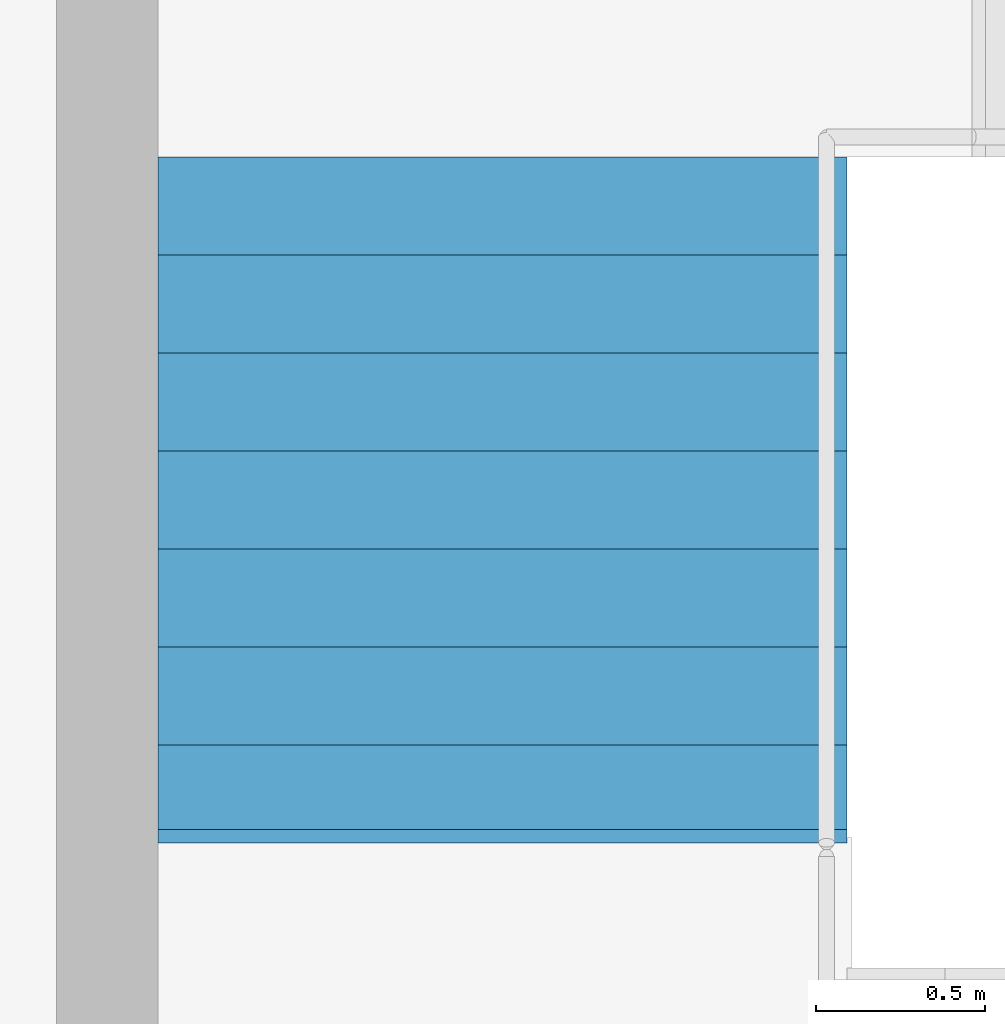
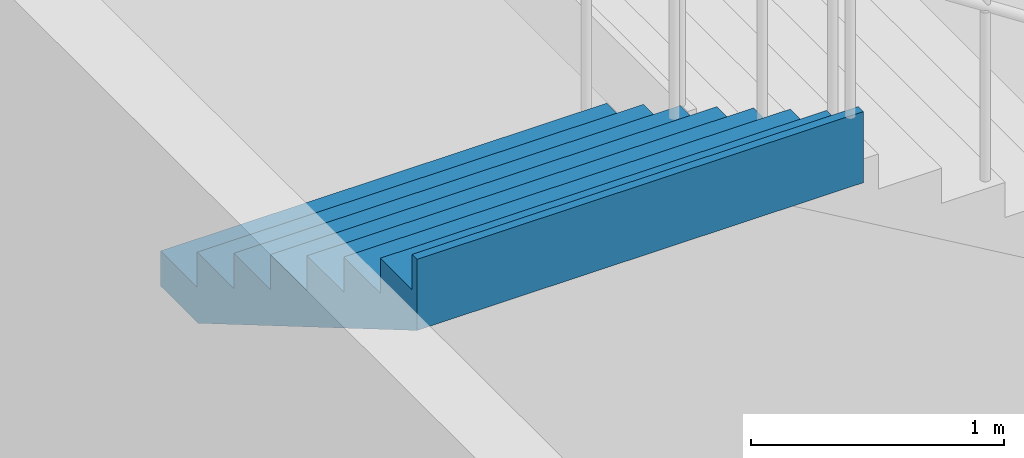
# One storey, part 61 of 74: 1 stair flight, 1 element without a shape of its own.
"""IFC4 building model written with IfcOpenShell, lengths in metres."""

from ifc_helpers import new_model, si_unit, direction, frame, origin, place, context, subcontext, project, spatial, triangles, material, type_object, element, aggregate, save


model = new_model("IFC4")

# Units and contexts
model_context = context("Model", 3, precision=1e-05, world=origin(), true_north=direction((0.0, 1.0)))
body_context = subcontext(model_context, "Body", "Model", "MODEL_VIEW")
ifc_project = project(units=[si_unit("LENGTHUNIT", "METRE"), si_unit("AREAUNIT", "SQUARE_METRE"), si_unit("VOLUMEUNIT", "CUBIC_METRE"), si_unit("PLANEANGLEUNIT", "RADIAN"), si_unit("MASSUNIT", "GRAM", prefix="KILO")], contexts=[model_context])

# Site, building, storey
site_placement = place(None, origin())
site = spatial("IfcSite", under=ifc_project, at=site_placement, CompositionType="ELEMENT")
building_placement = place(site_placement, origin())
building = spatial("IfcBuilding", under=site, at=building_placement, Name="Sillaruma Civic Art Gallery", CompositionType="ELEMENT")
storey_placement = place(building_placement, frame((0.0, 0.0, 5.43994140625)))
storey = spatial("IfcBuildingStorey", under=building, at=storey_placement, Name="L01", CompositionType="ELEMENT", Elevation=5.43994140625)

# Stair, stair flight
ifc_material = material(Name="Concrete H35 (35 MPa)", Category="concrete")
stair_type = type_object("IfcStairType", Name="STR-4F-32", PredefinedType="USERDEFINED", material=ifc_material)
stair_placement = place(storey_placement, origin())
stair = element("IfcStair", 1, at=stair_placement, inside=storey, type_object=stair_type, Name="Protected Exit Stair ST-01 (West Wing) (L01)", ObjectType="THREE_RETURN_STAIR", PredefinedType="USERDEFINED")
stair_flight_type = type_object("IfcStairFlightType", Name="SFL-STR-8", PredefinedType="STRAIGHT", material=ifc_material)
stair_flight_placement = place(storey_placement, frame((26.580078125, 105.139892578125, 4.080078125), z_axis=(0.0, 0.0, 1.0), x_axis=(0.0, -1.0, 0.0)))
stair_flight = element("IfcStairFlight", 2, at=stair_flight_placement, type_object=stair_flight_type, Name="ST-01 flight 4", NumberOfRisers=8, NumberOfTreads=7, PredefinedType="STRAIGHT", RiserHeight=0.17, TreadLength=0.29, context=body_context, shape_type="Tessellation", body=[
    triangles([(0.0, -1.02001953125, 0.0), (0.29, -1.02001953125, 0.0), (0.296443, -1.02001953125, 0.0), (0.58, -1.02001953125, 0.166223), (0.87, -1.02001953125, 0.336223), (1.16, -1.02001953125, 0.506223), (1.45, -1.02001953125, 0.676223), (1.74, -1.02001953125, 0.846223), (1.990029, -1.02001953125, 0.992792), (2.030029, -1.02001953125, 1.01624), (2.030029, -1.02001953125, 1.36), (1.990029, -1.02001953125, 1.36), (1.990029, -1.02001953125, 1.19), (1.74, -1.02001953125, 1.19), (1.74, -1.02001953125, 1.02), (1.45, -1.02001953125, 1.02), (1.45, -1.02001953125, 0.85), (1.16, -1.02001953125, 0.85), (1.16, -1.02001953125, 0.68), (0.87, -1.02001953125, 0.68), (0.87, -1.02001953125, 0.51), (0.58, -1.02001953125, 0.51), (0.58, -1.02001953125, 0.34), (0.296443, -1.02001953125, 0.34), (0.29, -1.02001953125, 0.34), (0.29, -1.02001953125, 0.17), (0.0, -1.02001953125, 0.17), (0.0, -0.05, 0.0), (0.29, -0.05, 0.0), (0.296443, -0.05, 0.0), (0.58, -0.05, 0.166223), (0.87, -0.05, 0.336223), (1.16, -0.05, 0.506223), (1.45, -0.05, 0.676223), (1.74, -0.05, 0.846223), (1.990029, -0.05, 0.992792), (2.030029, -0.05, 1.01624), (2.030029, -0.05, 1.36), (1.990029, -0.05, 1.36), (1.990029, -0.05, 1.19), (1.74, -0.05, 1.19), (1.74, -0.05, 1.02), (1.45, -0.05, 1.02), (1.45, -0.05, 0.85), (1.16, -0.05, 0.85), (1.16, -0.05, 0.68), (0.87, -0.05, 0.68), (0.87, -0.05, 0.51), (0.58, -0.05, 0.51), (0.58, -0.05, 0.34), (0.296443, -0.05, 0.34), (0.29, -0.05, 0.34), (0.29, -0.05, 0.17), (0.0, -0.05, 0.17), (0.0, -0.0375, 0.0), (0.29, -0.0375, 0.0), (0.296443, -0.0375, 0.0), (0.58, -0.0375, 0.166223), (0.87, -0.0375, 0.336223), (1.16, -0.0375, 0.506223), (1.45, -0.0375, 0.676223), (1.74, -0.0375, 0.846223), (1.990029, -0.0375, 0.992792), (2.030029, -0.0375, 1.01624), (2.030029, -0.0375, 1.36), (1.990029, -0.0375, 1.36), (1.990029, -0.0375, 1.19), (1.74, -0.0375, 1.19), (1.74, -0.0375, 1.02), (1.45, -0.0375, 1.02), (1.45, -0.0375, 0.85), (1.16, -0.0375, 0.85), (1.16, -0.0375, 0.68), (0.87, -0.0375, 0.68), (0.87, -0.0375, 0.51), (0.58, -0.0375, 0.51), (0.58, -0.0375, 0.34), (0.296443, -0.0375, 0.34), (0.29, -0.0375, 0.34), (0.29, -0.0375, 0.17), (0.0, -0.0375, 0.17), (0.0, -0.025, 0.0), (0.29, -0.025, 0.0), (0.296443, -0.025, 0.0), (0.58, -0.025, 0.166223), (0.87, -0.025, 0.336223), (1.16, -0.025, 0.506223), (1.45, -0.025, 0.676223), (1.74, -0.025, 0.846223), (1.990029, -0.025, 0.992792), (2.030029, -0.025, 1.01624), (2.030029, -0.025, 1.36), (1.990029, -0.025, 1.36), (1.990029, -0.025, 1.19), (1.74, -0.025, 1.19), (1.74, -0.025, 1.02), (1.45, -0.025, 1.02), (1.45, -0.025, 0.85), (1.16, -0.025, 0.85), (1.16, -0.025, 0.68), (0.87, -0.025, 0.68), (0.87, -0.025, 0.51), (0.58, -0.025, 0.51), (0.58, -0.025, 0.34), (0.296443, -0.025, 0.34), (0.29, -0.025, 0.34), (0.29, -0.025, 0.17), (0.0, -0.025, 0.17), (0.0, -0.0125, 0.0), (0.29, -0.0125, 0.0), (0.296443, -0.0125, 0.0), (0.58, -0.0125, 0.166223), (0.87, -0.0125, 0.336223), (1.16, -0.0125, 0.506223), (1.45, -0.0125, 0.676223), (1.74, -0.0125, 0.846223), (1.990029, -0.0125, 0.992792), (2.030029, -0.0125, 1.01624), (2.030029, -0.0125, 1.36), (1.990029, -0.0125, 1.36), (1.990029, -0.0125, 1.19), (1.74, -0.0125, 1.19), (1.74, -0.0125, 1.02), (1.45, -0.0125, 1.02), (1.45, -0.0125, 0.85), (1.16, -0.0125, 0.85), (1.16, -0.0125, 0.68), (0.87, -0.0125, 0.68), (0.87, -0.0125, 0.51), (0.58, -0.0125, 0.51), (0.58, -0.0125, 0.34), (0.296443, -0.0125, 0.34), (0.29, -0.0125, 0.34), (0.29, -0.0125, 0.17), (0.0, -0.0125, 0.17), (0.0, 0.0, 0.0), (0.29, 0.0, 0.0), (0.296443, 0.0, 0.0), (0.58, 0.0, 0.166223), (0.87, 0.0, 0.336223), (1.16, 0.0, 0.506223), (1.45, 0.0, 0.676223), (1.74, 0.0, 0.846223), (1.990029, 0.0, 0.992792), (2.030029, 0.0, 1.01624), (2.030029, 0.0, 1.36), (1.990029, 0.0, 1.36), (1.990029, 0.0, 1.19), (1.74, 0.0, 1.19), (1.74, 0.0, 1.02), (1.45, 0.0, 1.02), (1.45, 0.0, 0.85), (1.16, 0.0, 0.85), (1.16, 0.0, 0.68), (0.87, 0.0, 0.68), (0.87, 0.0, 0.51), (0.58, 0.0, 0.51), (0.58, 0.0, 0.34), (0.296443, 0.0, 0.34), (0.29, 0.0, 0.34), (0.29, 0.0, 0.17), (0.0, 0.0, 0.17), (0.0, 0.0125, 0.0), (0.29, 0.0125, 0.0), (0.296443, 0.0125, 0.0), (0.58, 0.0125, 0.166223), (0.87, 0.0125, 0.336223), (1.16, 0.0125, 0.506223), (1.45, 0.0125, 0.676223), (1.74, 0.0125, 0.846223), (1.990029, 0.0125, 0.992792), (2.030029, 0.0125, 1.01624), (2.030029, 0.0125, 1.36), (1.990029, 0.0125, 1.36), (1.990029, 0.0125, 1.19), (1.74, 0.0125, 1.19), (1.74, 0.0125, 1.02), (1.45, 0.0125, 1.02), (1.45, 0.0125, 0.85), (1.16, 0.0125, 0.85), (1.16, 0.0125, 0.68), (0.87, 0.0125, 0.68), (0.87, 0.0125, 0.51), (0.58, 0.0125, 0.51), (0.58, 0.0125, 0.34), (0.296443, 0.0125, 0.34), (0.29, 0.0125, 0.34), (0.29, 0.0125, 0.17), (0.0, 0.0125, 0.17), (0.0, 0.025, 0.0), (0.29, 0.025, 0.0), (0.296443, 0.025, 0.0), (0.58, 0.025, 0.166223), (0.87, 0.025, 0.336223), (1.16, 0.025, 0.506223), (1.45, 0.025, 0.676223), (1.74, 0.025, 0.846223), (1.990029, 0.025, 0.992792), (2.030029, 0.025, 1.01624), (2.030029, 0.025, 1.36), (1.990029, 0.025, 1.36), (1.990029, 0.025, 1.19), (1.74, 0.025, 1.19), (1.74, 0.025, 1.02), (1.45, 0.025, 1.02), (1.45, 0.025, 0.85), (1.16, 0.025, 0.85), (1.16, 0.025, 0.68), (0.87, 0.025, 0.68), (0.87, 0.025, 0.51), (0.58, 0.025, 0.51), (0.58, 0.025, 0.34), (0.296443, 0.025, 0.34), (0.29, 0.025, 0.34), (0.29, 0.025, 0.17), (0.0, 0.025, 0.17), (0.0, 0.0375, 0.0), (0.29, 0.0375, 0.0), (0.296443, 0.0375, 0.0), (0.58, 0.0375, 0.166223), (0.87, 0.0375, 0.336223), (1.16, 0.0375, 0.506223), (1.45, 0.0375, 0.676223), (1.74, 0.0375, 0.846223), (1.990029, 0.0375, 0.992792), (2.030029, 0.0375, 1.01624), (2.030029, 0.0375, 1.36), (1.990029, 0.0375, 1.36), (1.990029, 0.0375, 1.19), (1.74, 0.0375, 1.19), (1.74, 0.0375, 1.02), (1.45, 0.0375, 1.02), (1.45, 0.0375, 0.85), (1.16, 0.0375, 0.85), (1.16, 0.0375, 0.68), (0.87, 0.0375, 0.68), (0.87, 0.0375, 0.51), (0.58, 0.0375, 0.51), (0.58, 0.0375, 0.34), (0.296443, 0.0375, 0.34), (0.29, 0.0375, 0.34), (0.29, 0.0375, 0.17), (0.0, 0.0375, 0.17), (0.0, 0.05, 0.0), (0.29, 0.05, 0.0), (0.296443, 0.05, 0.0), (0.58, 0.05, 0.166223), (0.87, 0.05, 0.336223), (1.16, 0.05, 0.506223), (1.45, 0.05, 0.676223), (1.74, 0.05, 0.846223), (1.990029, 0.05, 0.992792), (2.030029, 0.05, 1.01624), (2.030029, 0.05, 1.36), (1.990029, 0.05, 1.36), (1.990029, 0.05, 1.19), (1.74, 0.05, 1.19), (1.74, 0.05, 1.02), (1.45, 0.05, 1.02), (1.45, 0.05, 0.85), (1.16, 0.05, 0.85), (1.16, 0.05, 0.68), (0.87, 0.05, 0.68), (0.87, 0.05, 0.51), (0.58, 0.05, 0.51), (0.58, 0.05, 0.34), (0.296443, 0.05, 0.34), (0.29, 0.05, 0.34), (0.29, 0.05, 0.17), (0.0, 0.05, 0.17), (0.0, 1.02001953125, 0.0), (0.29, 1.02001953125, 0.0), (0.296443, 1.02001953125, 0.0), (0.58, 1.02001953125, 0.166223), (0.87, 1.02001953125, 0.336223), (1.16, 1.02001953125, 0.506223), (1.45, 1.02001953125, 0.676223), (1.74, 1.02001953125, 0.846223), (1.990029, 1.02001953125, 0.992792), (2.030029, 1.02001953125, 1.01624), (2.030029, 1.02001953125, 1.36), (1.990029, 1.02001953125, 1.36), (1.990029, 1.02001953125, 1.19), (1.74, 1.02001953125, 1.19), (1.74, 1.02001953125, 1.02), (1.45, 1.02001953125, 1.02), (1.45, 1.02001953125, 0.85), (1.16, 1.02001953125, 0.85), (1.16, 1.02001953125, 0.68), (0.87, 1.02001953125, 0.68), (0.87, 1.02001953125, 0.51), (0.58, 1.02001953125, 0.51), (0.58, 1.02001953125, 0.34), (0.296443, 1.02001953125, 0.34), (0.29, 1.02001953125, 0.34), (0.29, 1.02001953125, 0.17), (0.0, 1.02001953125, 0.17)], [[1, 2, 26], [1, 26, 27], [2, 3, 24], [2, 24, 26], [26, 24, 25], [3, 4, 23], [3, 23, 24], [4, 5, 21], [4, 21, 23], [23, 21, 22], [5, 6, 19], [5, 19, 21], [21, 19, 20], [6, 7, 17], [6, 17, 19], [19, 17, 18], [7, 8, 15], [7, 15, 17], [17, 15, 16], [8, 9, 13], [8, 13, 15], [15, 13, 14], [9, 10, 11], [9, 11, 13], [13, 11, 12], [296, 272, 271], [297, 296, 271], [294, 273, 272], [296, 294, 272], [295, 294, 296], [293, 274, 273], [294, 293, 273], [291, 275, 274], [293, 291, 274], [292, 291, 293], [289, 276, 275], [291, 289, 275], [290, 289, 291], [287, 277, 276], [289, 287, 276], [288, 287, 289], [285, 278, 277], [287, 285, 277], [286, 285, 287], [283, 279, 278], [285, 283, 278], [284, 283, 285], [281, 280, 279], [283, 281, 279], [282, 281, 283], [2, 1, 28], [2, 28, 29], [3, 2, 29], [3, 29, 30], [4, 3, 30], [4, 30, 31], [5, 4, 31], [5, 31, 32], [6, 5, 32], [6, 32, 33], [7, 6, 33], [7, 33, 34], [8, 7, 34], [8, 34, 35], [9, 8, 35], [9, 35, 36], [10, 9, 36], [10, 36, 37], [11, 10, 37], [11, 37, 38], [12, 11, 38], [12, 38, 39], [13, 12, 39], [13, 39, 40], [14, 13, 40], [14, 40, 41], [15, 14, 41], [15, 41, 42], [16, 15, 42], [16, 42, 43], [17, 16, 43], [17, 43, 44], [18, 17, 44], [18, 44, 45], [19, 18, 45], [19, 45, 46], [20, 19, 46], [20, 46, 47], [21, 20, 47], [21, 47, 48], [22, 21, 48], [22, 48, 49], [23, 22, 49], [23, 49, 50], [24, 23, 50], [24, 50, 51], [25, 24, 51], [25, 51, 52], [26, 25, 52], [26, 52, 53], [27, 26, 53], [27, 53, 54], [1, 27, 54], [1, 54, 28], [29, 28, 55], [29, 55, 56], [30, 29, 56], [30, 56, 57], [31, 30, 57], [31, 57, 58], [32, 31, 58], [32, 58, 59], [33, 32, 59], [33, 59, 60], [34, 33, 60], [34, 60, 61], [35, 34, 61], [35, 61, 62], [36, 35, 62], [36, 62, 63], [37, 36, 63], [37, 63, 64], [38, 37, 64], [38, 64, 65], [39, 38, 65], [39, 65, 66], [40, 39, 66], [40, 66, 67], [41, 40, 67], [41, 67, 68], [42, 41, 68], [42, 68, 69], [43, 42, 69], [43, 69, 70], [44, 43, 70], [44, 70, 71], [45, 44, 71], [45, 71, 72], [46, 45, 72], [46, 72, 73], [47, 46, 73], [47, 73, 74], [48, 47, 74], [48, 74, 75], [49, 48, 75], [49, 75, 76], [50, 49, 76], [50, 76, 77], [51, 50, 77], [51, 77, 78], [52, 51, 78], [52, 78, 79], [53, 52, 79], [53, 79, 80], [54, 53, 80], [54, 80, 81], [28, 54, 81], [28, 81, 55], [56, 55, 82], [56, 82, 83], [57, 56, 83], [57, 83, 84], [58, 57, 84], [58, 84, 85], [59, 58, 85], [59, 85, 86], [60, 59, 86], [60, 86, 87], [61, 60, 87], [61, 87, 88], [62, 61, 88], [62, 88, 89], [63, 62, 89], [63, 89, 90], [64, 63, 90], [64, 90, 91], [65, 64, 91], [65, 91, 92], [66, 65, 92], [66, 92, 93], [67, 66, 93], [67, 93, 94], [68, 67, 94], [68, 94, 95], [69, 68, 95], [69, 95, 96], [70, 69, 96], [70, 96, 97], [71, 70, 97], [71, 97, 98], [72, 71, 98], [72, 98, 99], [73, 72, 99], [73, 99, 100], [74, 73, 100], [74, 100, 101], [75, 74, 101], [75, 101, 102], [76, 75, 102], [76, 102, 103], [77, 76, 103], [77, 103, 104], [78, 77, 104], [78, 104, 105], [79, 78, 105], [79, 105, 106], [80, 79, 106], [80, 106, 107], [81, 80, 107], [81, 107, 108], [55, 81, 108], [55, 108, 82], [83, 82, 109], [83, 109, 110], [84, 83, 110], [84, 110, 111], [85, 84, 111], [85, 111, 112], [86, 85, 112], [86, 112, 113], [87, 86, 113], [87, 113, 114], [88, 87, 114], [88, 114, 115], [89, 88, 115], [89, 115, 116], [90, 89, 116], [90, 116, 117], [91, 90, 117], [91, 117, 118], [92, 91, 118], [92, 118, 119], [93, 92, 119], [93, 119, 120], [94, 93, 120], [94, 120, 121], [95, 94, 121], [95, 121, 122], [96, 95, 122], [96, 122, 123], [97, 96, 123], [97, 123, 124], [98, 97, 124], [98, 124, 125], [99, 98, 125], [99, 125, 126], [100, 99, 126], [100, 126, 127], [101, 100, 127], [101, 127, 128], [102, 101, 128], [102, 128, 129], [103, 102, 129], [103, 129, 130], [104, 103, 130], [104, 130, 131], [105, 104, 131], [105, 131, 132], [106, 105, 132], [106, 132, 133], [107, 106, 133], [107, 133, 134], [108, 107, 134], [108, 134, 135], [82, 108, 135], [82, 135, 109], [110, 109, 136], [110, 136, 137], [111, 110, 137], [111, 137, 138], [112, 111, 138], [112, 138, 139], [113, 112, 139], [113, 139, 140], [114, 113, 140], [114, 140, 141], [115, 114, 141], [115, 141, 142], [116, 115, 142], [116, 142, 143], [117, 116, 143], [117, 143, 144], [118, 117, 144], [118, 144, 145], [119, 118, 145], [119, 145, 146], [120, 119, 146], [120, 146, 147], [121, 120, 147], [121, 147, 148], [122, 121, 148], [122, 148, 149], [123, 122, 149], [123, 149, 150], [124, 123, 150], [124, 150, 151], [125, 124, 151], [125, 151, 152], [126, 125, 152], [126, 152, 153], [127, 126, 153], [127, 153, 154], [128, 127, 154], [128, 154, 155], [129, 128, 155], [129, 155, 156], [130, 129, 156], [130, 156, 157], [131, 130, 157], [131, 157, 158], [132, 131, 158], [132, 158, 159], [133, 132, 159], [133, 159, 160], [134, 133, 160], [134, 160, 161], [135, 134, 161], [135, 161, 162], [109, 135, 162], [109, 162, 136], [137, 136, 163], [137, 163, 164], [138, 137, 164], [138, 164, 165], [139, 138, 165], [139, 165, 166], [140, 139, 166], [140, 166, 167], [141, 140, 167], [141, 167, 168], [142, 141, 168], [142, 168, 169], [143, 142, 169], [143, 169, 170], [144, 143, 170], [144, 170, 171], [145, 144, 171], [145, 171, 172], [146, 145, 172], [146, 172, 173], [147, 146, 173], [147, 173, 174], [148, 147, 174], [148, 174, 175], [149, 148, 175], [149, 175, 176], [150, 149, 176], [150, 176, 177], [151, 150, 177], [151, 177, 178], [152, 151, 178], [152, 178, 179], [153, 152, 179], [153, 179, 180], [154, 153, 180], [154, 180, 181], [155, 154, 181], [155, 181, 182], [156, 155, 182], [156, 182, 183], [157, 156, 183], [157, 183, 184], [158, 157, 184], [158, 184, 185], [159, 158, 185], [159, 185, 186], [160, 159, 186], [160, 186, 187], [161, 160, 187], [161, 187, 188], [162, 161, 188], [162, 188, 189], [136, 162, 189], [136, 189, 163], [164, 163, 190], [164, 190, 191], [165, 164, 191], [165, 191, 192], [166, 165, 192], [166, 192, 193], [167, 166, 193], [167, 193, 194], [168, 167, 194], [168, 194, 195], [169, 168, 195], [169, 195, 196], [170, 169, 196], [170, 196, 197], [171, 170, 197], [171, 197, 198], [172, 171, 198], [172, 198, 199], [173, 172, 199], [173, 199, 200], [174, 173, 200], [174, 200, 201], [175, 174, 201], [175, 201, 202], [176, 175, 202], [176, 202, 203], [177, 176, 203], [177, 203, 204], [178, 177, 204], [178, 204, 205], [179, 178, 205], [179, 205, 206], [180, 179, 206], [180, 206, 207], [181, 180, 207], [181, 207, 208], [182, 181, 208], [182, 208, 209], [183, 182, 209], [183, 209, 210], [184, 183, 210], [184, 210, 211], [185, 184, 211], [185, 211, 212], [186, 185, 212], [186, 212, 213], [187, 186, 213], [187, 213, 214], [188, 187, 214], [188, 214, 215], [189, 188, 215], [189, 215, 216], [163, 189, 216], [163, 216, 190], [191, 190, 217], [191, 217, 218], [192, 191, 218], [192, 218, 219], [193, 192, 219], [193, 219, 220], [194, 193, 220], [194, 220, 221], [195, 194, 221], [195, 221, 222], [196, 195, 222], [196, 222, 223], [197, 196, 223], [197, 223, 224], [198, 197, 224], [198, 224, 225], [199, 198, 225], [199, 225, 226], [200, 199, 226], [200, 226, 227], [201, 200, 227], [201, 227, 228], [202, 201, 228], [202, 228, 229], [203, 202, 229], [203, 229, 230], [204, 203, 230], [204, 230, 231], [205, 204, 231], [205, 231, 232], [206, 205, 232], [206, 232, 233], [207, 206, 233], [207, 233, 234], [208, 207, 234], [208, 234, 235], [209, 208, 235], [209, 235, 236], [210, 209, 236], [210, 236, 237], [211, 210, 237], [211, 237, 238], [212, 211, 238], [212, 238, 239], [213, 212, 239], [213, 239, 240], [214, 213, 240], [214, 240, 241], [215, 214, 241], [215, 241, 242], [216, 215, 242], [216, 242, 243], [190, 216, 243], [190, 243, 217], [218, 217, 244], [218, 244, 245], [219, 218, 245], [219, 245, 246], [220, 219, 246], [220, 246, 247], [221, 220, 247], [221, 247, 248], [222, 221, 248], [222, 248, 249], [223, 222, 249], [223, 249, 250], [224, 223, 250], [224, 250, 251], [225, 224, 251], [225, 251, 252], [226, 225, 252], [226, 252, 253], [227, 226, 253], [227, 253, 254], [228, 227, 254], [228, 254, 255], [229, 228, 255], [229, 255, 256], [230, 229, 256], [230, 256, 257], [231, 230, 257], [231, 257, 258], [232, 231, 258], [232, 258, 259], [233, 232, 259], [233, 259, 260], [234, 233, 260], [234, 260, 261], [235, 234, 261], [235, 261, 262], [236, 235, 262], [236, 262, 263], [237, 236, 263], [237, 263, 264], [238, 237, 264], [238, 264, 265], [239, 238, 265], [239, 265, 266], [240, 239, 266], [240, 266, 267], [241, 240, 267], [241, 267, 268], [242, 241, 268], [242, 268, 269], [243, 242, 269], [243, 269, 270], [217, 243, 270], [217, 270, 244], [245, 244, 271], [245, 271, 272], [246, 245, 272], [246, 272, 273], [247, 246, 273], [247, 273, 274], [248, 247, 274], [248, 274, 275], [249, 248, 275], [249, 275, 276], [250, 249, 276], [250, 276, 277], [251, 250, 277], [251, 277, 278], [252, 251, 278], [252, 278, 279], [253, 252, 279], [253, 279, 280], [254, 253, 280], [254, 280, 281], [255, 254, 281], [255, 281, 282], [256, 255, 282], [256, 282, 283], [257, 256, 283], [257, 283, 284], [258, 257, 284], [258, 284, 285], [259, 258, 285], [259, 285, 286], [260, 259, 286], [260, 286, 287], [261, 260, 287], [261, 287, 288], [262, 261, 288], [262, 288, 289], [263, 262, 289], [263, 289, 290], [264, 263, 290], [264, 290, 291], [265, 264, 291], [265, 291, 292], [266, 265, 292], [266, 292, 293], [267, 266, 293], [267, 293, 294], [268, 267, 294], [268, 294, 295], [269, 268, 295], [269, 295, 296], [270, 269, 296], [270, 296, 297], [244, 270, 297], [244, 297, 271]], closed=True),
])
aggregate(stair, [stair_flight])

save(model, "model.ifc")
